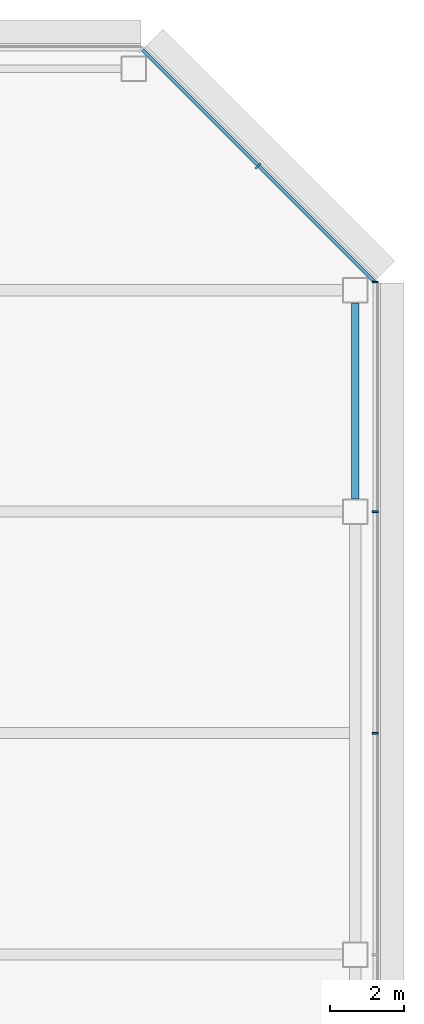
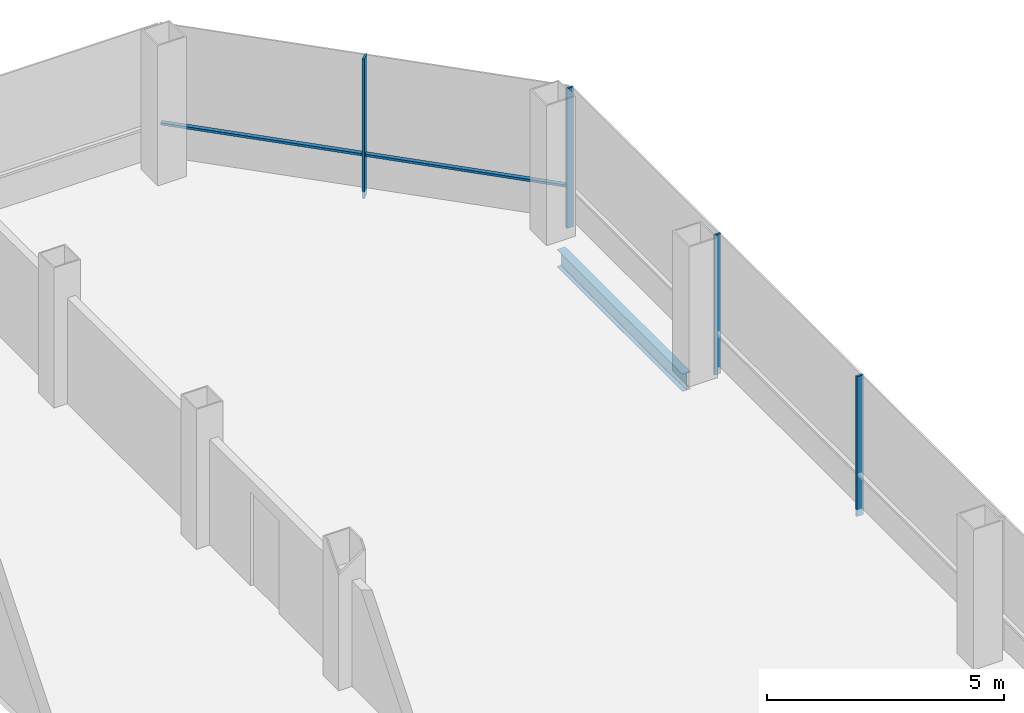
# One storey, part 17 of 24: 5 members, 1 beam, 2 elements without a shape of their own.
"""IFC4 building model written with IfcOpenShell, lengths in metres."""

from ifc_helpers import new_model, si_unit, direction, frame, origin, origin_2d, place, context, subcontext, project, spatial, rectangle, i_section, extrude, material, material_profile, profile_set, type_object, element, aggregate, save


model = new_model("IFC4")

# Units and contexts
model_context = context("Model", 3, precision=1e-05, world=origin(), true_north=direction((0.0, 1.0)))
body_context = subcontext(model_context, "Body", "Model", "MODEL_VIEW")
ifc_project = project(units=[si_unit("LENGTHUNIT", "METRE"), si_unit("AREAUNIT", "SQUARE_METRE"), si_unit("VOLUMEUNIT", "CUBIC_METRE"), si_unit("PLANEANGLEUNIT", "RADIAN"), si_unit("MASSUNIT", "GRAM", prefix="KILO")], contexts=[model_context])

# Site, building, storey
site_placement = place(None, origin())
site = spatial("IfcSite", under=ifc_project, at=site_placement, CompositionType="ELEMENT")
building_placement = place(site_placement, origin())
building = spatial("IfcBuilding", under=site, at=building_placement, Name="Sorahane Residences", CompositionType="ELEMENT")
storey_placement = place(building_placement, frame((0.0, 0.0, 178.0)))
storey = spatial("IfcBuildingStorey", under=building, at=storey_placement, Name="L41", CompositionType="ELEMENT", Elevation=178.0)

# Curtain wall, members
ifc_material_1 = material(Name="Dark low-e glass and black anodised aluminium", Category="aluminium")
curtain_wall_type_1 = type_object("IfcCurtainWallType", Name="Curtain wall CW-1 Typical unitised wall", PredefinedType="NOTDEFINED", material=ifc_material_1)
curtain_wall_1_placement = place(storey_placement, origin())
curtain_wall_1 = element("IfcCurtainWall", 1, at=curtain_wall_1_placement, inside=storey, type_object=curtain_wall_type_1, Name="CW-1 curtain wall L41 E1", PredefinedType="NOTDEFINED")
ifc_material_2 = material(Name="Black anodised aluminium", Category="aluminium")
ifc_material_profile_1 = material_profile(ifc_material_2, rectangle(XDim=0.159912109375, YDim=0.050048828125, at=origin_2d()), Name="Curtain wall mullion CW-1 black anodised aluminium 50x160")
ifc_profile_set_1 = profile_set([ifc_material_profile_1], Name="Black anodised aluminium")
member_type_1 = type_object("IfcMemberType", Name="Curtain wall mullion CW-1 black anodised aluminium 50x160", PredefinedType="MULLION", material=ifc_profile_set_1)
member_1_placement = place(storey_placement, frame((60.5400390625, 30.0, -0.179931640625), z_axis=(0.0, 0.0, 1.0), x_axis=(1.0, 0.0, 0.0)))
member_1 = element("IfcMember", 2, at=member_1_placement, type_object=member_type_1, Name="CW-1 mullion L41 E1.5", PredefinedType="MULLION", context=body_context, shape_type="SweptSolid", body=[
    extrude(rectangle(XDim=0.159912109375, YDim=0.050048828125, at=origin_2d()), origin(), (0.0, 0.0, 1.0), 3.599853515625),
])
member_2_placement = place(storey_placement, frame((60.5400390625, 36.0, -0.179931640625), z_axis=(0.0, 0.0, 1.0), x_axis=(1.0, 0.0, 0.0)))
member_2 = element("IfcMember", 3, at=member_2_placement, type_object=member_type_1, Name="CW-1 mullion L41 E1.6", PredefinedType="MULLION", context=body_context, shape_type="SweptSolid", body=[
    extrude(rectangle(XDim=0.159912109375, YDim=0.050048828125, at=origin_2d()), origin(), (0.0, 0.0, 1.0), 3.599853515625),
])
member_3_placement = place(storey_placement, frame((60.5400390625, 42.2236328125, -0.179931640625), z_axis=(0.0, 0.0, 1.0), x_axis=(1.0, 0.0, 0.0)))
member_3 = element("IfcMember", 4, at=member_3_placement, type_object=member_type_1, Name="CW-1 mullion L41 E1.7", PredefinedType="MULLION", context=body_context, shape_type="SweptSolid", body=[
    extrude(rectangle(XDim=0.159912109375, YDim=0.050048828125, at=origin_2d()), origin(), (0.0, 0.0, 1.0), 3.599853515625),
])
aggregate(curtain_wall_1, [member_1, member_2, member_3])

ifc_material_3 = material(Name="Dark low-e glass and black anodised aluminium", Category="aluminium")
curtain_wall_type_2 = type_object("IfcCurtainWallType", Name="Curtain wall CW-2 Chamfer unitised wall", PredefinedType="NOTDEFINED", material=ifc_material_3)
curtain_wall_2_placement = place(storey_placement, origin())
curtain_wall_2 = element("IfcCurtainWall", 5, at=curtain_wall_2_placement, inside=storey, type_object=curtain_wall_type_2, Name="CW-2 curtain wall L41 NE1", PredefinedType="NOTDEFINED")
ifc_material_4 = material(Name="Black anodised aluminium", Category="aluminium")
ifc_material_profile_2 = material_profile(ifc_material_4, rectangle(XDim=0.199951171875, YDim=0.050048828125, at=origin_2d()), Name="Curtain wall mullion CW-2 black anodised aluminium 50x200")
ifc_profile_set_2 = profile_set([ifc_material_profile_2], Name="Black anodised aluminium")
member_type_2 = type_object("IfcMemberType", Name="Curtain wall mullion CW-2 black anodised aluminium 50x200", PredefinedType="MULLION", material=ifc_profile_set_2)
member_4_placement = place(storey_placement, frame((57.36767578125, 45.36767578125, -0.179931640625), z_axis=(0.0, 0.0, 1.0), x_axis=(0.707106781187, 0.707106781187, 0.0)))
member_4 = element("IfcMember", 6, at=member_4_placement, type_object=member_type_2, Name="CW-2 mullion L41 NE1.2", PredefinedType="MULLION", context=body_context, shape_type="SweptSolid", body=[
    extrude(rectangle(XDim=0.199951171875, YDim=0.050048828125, at=origin_2d()), origin(), (0.0, 0.0, 1.0), 3.599853515625),
])
ifc_material_5 = material(Name="Black anodised aluminium", Category="aluminium")
ifc_material_profile_3 = material_profile(ifc_material_5, rectangle(XDim=0.10009765625, YDim=0.06005859375, at=origin_2d()), Name="Curtain wall transom CW-2 black anodised aluminium 60x100")
ifc_profile_set_3 = profile_set([ifc_material_profile_3], Name="Black anodised aluminium")
member_type_3 = type_object("IfcMemberType", Name="Curtain wall transom CW-2 black anodised aluminium 60x100", PredefinedType="USERDEFINED", material=ifc_profile_set_3)
member_5_placement = place(storey_placement, frame((60.51513671875, 42.234375, 0.89990234375), z_axis=(-0.707106781187, 0.707106781187, 0.0), x_axis=(-0.707106781187, -0.707106781187, 0.0)))
member_5 = element("IfcMember", 7, at=member_5_placement, type_object=member_type_3, Name="CW-2 transom L41 NE1", ObjectType="TRANSOM", PredefinedType="USERDEFINED", context=body_context, shape_type="SweptSolid", body=[
    extrude(rectangle(XDim=0.10009765625, YDim=0.06005859375, at=origin_2d()), origin(), (0.0, 0.0, 1.0), 8.88232421875),
])
aggregate(curtain_wall_2, [member_4, member_5])

# Beam
ifc_material_6 = material(Name="Steel Q355B", Category="steel")
ifc_material_profile_4 = material_profile(ifc_material_6, i_section(OverallWidth=0.199951171875, OverallDepth=0.449951171875, WebThickness=0.009033203125, FlangeThickness=0.013916015625, FilletRadius=0.02001953125, at=origin_2d()), Name="HN 450x200x9x14")
ifc_profile_set_4 = profile_set([ifc_material_profile_4], Name="Steel Q355B")
beam_type = type_object("IfcBeamType", Name="Steel floor beam HN 450x200x9x14 Q355B", PredefinedType="BEAM", material=ifc_profile_set_4)
beam_placement = place(storey_placement, frame((60.0, 36.35009765625, -0.405029296875), z_axis=(0.0, 1.0, 0.0), x_axis=(-1.0, 0.0, 0.0)))
element("IfcBeam", 8, at=beam_placement, inside=storey, type_object=beam_type, Name="Beam L41 067", PredefinedType="BEAM", context=body_context, shape_type="SweptSolid", body=[
    extrude(i_section(OverallWidth=0.199951171875, OverallDepth=0.449951171875, WebThickness=0.009033203125, FlangeThickness=0.013916015625, FilletRadius=0.02001953125, at=origin_2d()), origin(), (0.0, 0.0, 1.0), 5.2998046875),
])

save(model, "model.ifc")
